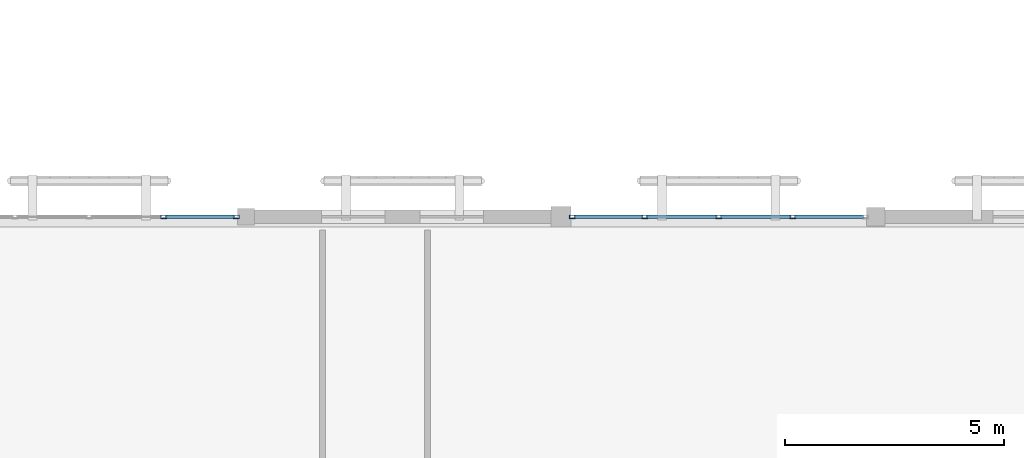
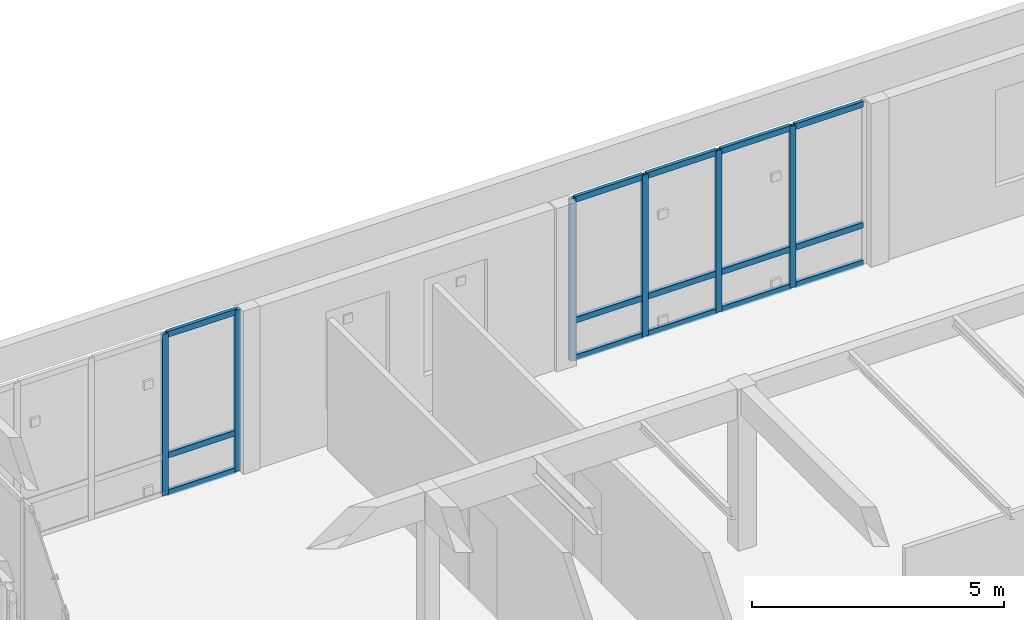
# One storey, part 156 of 217: 21 members, 2 elements without a shape of their own.
"""IFC4 building model written with IfcOpenShell, lengths in metres."""

from ifc_helpers import new_model, si_unit, direction, frame, origin, origin_2d, place, context, subcontext, project, spatial, hollow_rectangle, extrude, material, layer, layer_set, material_profile, profile_set, type_object, element, aggregate, save


model = new_model("IFC4")

# Units and contexts
model_context = context("Model", 3, precision=1e-05, world=origin(), true_north=direction((0.0, 1.0)))
body_context = subcontext(model_context, "Body", "Model", "MODEL_VIEW")
ifc_project = project(units=[si_unit("LENGTHUNIT", "METRE"), si_unit("AREAUNIT", "SQUARE_METRE"), si_unit("VOLUMEUNIT", "CUBIC_METRE"), si_unit("PLANEANGLEUNIT", "RADIAN"), si_unit("MASSUNIT", "GRAM", prefix="KILO")], contexts=[model_context])

# Site, building, storey
site_placement = place(None, origin())
site = spatial("IfcSite", under=ifc_project, at=site_placement, CompositionType="ELEMENT")
building_placement = place(site_placement, origin())
building = spatial("IfcBuilding", under=site, at=building_placement, Name="Mazaris Harbour Polytechnic", CompositionType="ELEMENT")
storey_placement = place(building_placement, frame((0.0, 0.0, 9.60009765625)))
storey = spatial("IfcBuildingStorey", under=building, at=storey_placement, Name="L02", CompositionType="ELEMENT", Elevation=9.60009765625)

# Curtain wall, members
ifc_material_1 = material(Name="Anodised Bronze Aluminium and Low-E Glass", Category="aluminium")
ifc_layer = layer(ifc_material_1, 0.169921875, Name="Anodised Bronze Aluminium and Low-E Glass")
ifc_layer_set = layer_set([ifc_layer], Name="Anodised Bronze Aluminium and Low-E Glass")
curtain_wall_type = type_object("IfcCurtainWallType", Name="Studio North-Light Curtain Wall", PredefinedType="NOTDEFINED", material=ifc_layer_set)
curtain_wall_1_placement = place(storey_placement, origin())
curtain_wall_1 = element("IfcCurtainWall", 1, at=curtain_wall_1_placement, inside=storey, type_object=curtain_wall_type, Name="V5 L02 Curtain Wall 227", PredefinedType="NOTDEFINED")
ifc_material_2 = material(Name="Anodised Bronze Steel S355", Category="steel")
ifc_material_profile_1 = material_profile(ifc_material_2, hollow_rectangle(XDim=0.080078125, YDim=0.139892578125, WallThickness=0.00634765625, at=origin_2d()), Name="RHS 80x140x6.3")
ifc_profile_set_1 = profile_set([ifc_material_profile_1], Name="Anodised Bronze Steel S355")
member_type_1 = type_object("IfcMemberType", Name="Curtain Mullion RHS80x140", PredefinedType="MULLION", material=ifc_profile_set_1)
member_1_placement = place(storey_placement, frame((127.716552734375, 108.0, 0.0), z_axis=(0.0, 0.0, 1.0), x_axis=(0.0, 1.0, 0.0)))
member_1 = element("IfcMember", 2, at=member_1_placement, type_object=member_type_1, Name="CW-03 mullion 4", PredefinedType="MULLION", context=body_context, shape_type="SweptSolid", body=[
    extrude(hollow_rectangle(XDim=0.080078125, YDim=0.139892578125, WallThickness=0.00634765625, at=origin_2d()), origin(), (0.0, 0.0, 1.0), 3.919921875),
])
member_2_placement = place(storey_placement, frame((129.3779296875, 108.0, 0.0), z_axis=(0.0, 0.0, 1.0), x_axis=(0.0, 1.0, 0.0)))
member_2 = element("IfcMember", 3, at=member_2_placement, type_object=member_type_1, Name="CW-03 mullion 5", PredefinedType="MULLION", context=body_context, shape_type="SweptSolid", body=[
    extrude(hollow_rectangle(XDim=0.080078125, YDim=0.139892578125, WallThickness=0.00634765625, at=origin_2d()), origin(), (0.0, 0.0, 1.0), 3.919921875),
])

curtain_wall_2_placement = place(storey_placement, origin())
curtain_wall_2 = element("IfcCurtainWall", 4, at=curtain_wall_2_placement, inside=storey, type_object=curtain_wall_type, Name="V5 L02 Curtain Wall 228", PredefinedType="NOTDEFINED")
member_3_placement = place(storey_placement, frame((137.06201171875, 108.0, 0.0), z_axis=(0.0, 0.0, 1.0), x_axis=(0.0, 1.0, 0.0)))
member_3 = element("IfcMember", 5, at=member_3_placement, type_object=member_type_1, Name="CW-03 mullion 1", PredefinedType="MULLION", context=body_context, shape_type="SweptSolid", body=[
    extrude(hollow_rectangle(XDim=0.080078125, YDim=0.139892578125, WallThickness=0.00634765625, at=origin_2d()), origin(), (0.0, 0.0, 1.0), 3.919921875),
])
member_4_placement = place(storey_placement, frame((138.716064453125, 108.0, 0.0), z_axis=(0.0, 0.0, 1.0), x_axis=(0.0, 1.0, 0.0)))
member_4 = element("IfcMember", 6, at=member_4_placement, type_object=member_type_1, Name="CW-03 mullion 2", PredefinedType="MULLION", context=body_context, shape_type="SweptSolid", body=[
    extrude(hollow_rectangle(XDim=0.080078125, YDim=0.139892578125, WallThickness=0.00634765625, at=origin_2d()), origin(), (0.0, 0.0, 1.0), 3.919921875),
])
member_5_placement = place(storey_placement, frame((140.409912109375, 108.0, 0.0), z_axis=(0.0, 0.0, 1.0), x_axis=(0.0, 1.0, 0.0)))
member_5 = element("IfcMember", 7, at=member_5_placement, type_object=member_type_1, Name="CW-03 mullion 3", PredefinedType="MULLION", context=body_context, shape_type="SweptSolid", body=[
    extrude(hollow_rectangle(XDim=0.080078125, YDim=0.139892578125, WallThickness=0.00634765625, at=origin_2d()), origin(), (0.0, 0.0, 1.0), 3.919921875),
])
member_6_placement = place(storey_placement, frame((142.10400390625, 108.0, 0.0), z_axis=(0.0, 0.0, 1.0), x_axis=(0.0, 1.0, 0.0)))
member_6 = element("IfcMember", 8, at=member_6_placement, type_object=member_type_1, Name="CW-03 mullion 4", PredefinedType="MULLION", context=body_context, shape_type="SweptSolid", body=[
    extrude(hollow_rectangle(XDim=0.080078125, YDim=0.139892578125, WallThickness=0.00634765625, at=origin_2d()), origin(), (0.0, 0.0, 1.0), 3.919921875),
])

# Member
ifc_material_3 = material(Name="Anodised Bronze Steel S355", Category="steel")
ifc_material_profile_2 = material_profile(ifc_material_3, hollow_rectangle(XDim=0.080078125, YDim=0.139892578125, WallThickness=0.00634765625, at=origin_2d()), Name="RHS 80x140x6.3")
ifc_profile_set_2 = profile_set([ifc_material_profile_2], Name="Anodised Bronze Steel S355")
member_type_2 = type_object("IfcMemberType", Name="Curtain Transom RHS80x140", PredefinedType="USERDEFINED", material=ifc_profile_set_2)
member_7_placement = place(storey_placement, frame((127.756591796875, 108.0, 0.039794921875), z_axis=(1.0, 0.0, 0.0), x_axis=(0.0, 1.0, 0.0)))
member_7 = element("IfcMember", 9, at=member_7_placement, type_object=member_type_2, Name="CW-03 transom 4.1", ObjectType="TRANSOM", PredefinedType="USERDEFINED", context=body_context, shape_type="SweptSolid", body=[
    extrude(hollow_rectangle(XDim=0.080078125, YDim=0.139892578125, WallThickness=0.00634765625, at=origin_2d()), origin(), (0.0, 0.0, 1.0), 1.581298828125),
])

member_8_placement = place(storey_placement, frame((127.756591796875, 108.0, 0.949951171875), z_axis=(1.0, 0.0, 0.0), x_axis=(0.0, 1.0, 0.0)))
member_8 = element("IfcMember", 10, at=member_8_placement, type_object=member_type_2, Name="CW-03 transom 4.2", ObjectType="TRANSOM", PredefinedType="USERDEFINED", context=body_context, shape_type="SweptSolid", body=[
    extrude(hollow_rectangle(XDim=0.080078125, YDim=0.139892578125, WallThickness=0.00634765625, at=origin_2d()), origin(), (0.0, 0.0, 1.0), 1.581298828125),
])

member_9_placement = place(storey_placement, frame((127.756591796875, 108.0, 3.8798828125), z_axis=(1.0, 0.0, 0.0), x_axis=(0.0, 1.0, 0.0)))
member_9 = element("IfcMember", 11, at=member_9_placement, type_object=member_type_2, Name="CW-03 transom 4.3", ObjectType="TRANSOM", PredefinedType="USERDEFINED", context=body_context, shape_type="SweptSolid", body=[
    extrude(hollow_rectangle(XDim=0.080078125, YDim=0.139892578125, WallThickness=0.00634765625, at=origin_2d()), origin(), (0.0, 0.0, 1.0), 1.581298828125),
])

aggregate(curtain_wall_1, [member_1, member_2, member_7, member_8, member_9])

member_10_placement = place(storey_placement, frame((137.10205078125, 108.0, 0.039794921875), z_axis=(1.0, 0.0, 0.0), x_axis=(0.0, 1.0, 0.0)))
member_10 = element("IfcMember", 12, at=member_10_placement, type_object=member_type_2, Name="CW-03 transom 1.1", ObjectType="TRANSOM", PredefinedType="USERDEFINED", context=body_context, shape_type="SweptSolid", body=[
    extrude(hollow_rectangle(XDim=0.080078125, YDim=0.139892578125, WallThickness=0.00634765625, at=origin_2d()), origin(), (0.0, 0.0, 1.0), 1.573974609375),
])

member_11_placement = place(storey_placement, frame((137.10205078125, 108.0, 0.949951171875), z_axis=(1.0, 0.0, 0.0), x_axis=(0.0, 1.0, 0.0)))
member_11 = element("IfcMember", 13, at=member_11_placement, type_object=member_type_2, Name="CW-03 transom 1.2", ObjectType="TRANSOM", PredefinedType="USERDEFINED", context=body_context, shape_type="SweptSolid", body=[
    extrude(hollow_rectangle(XDim=0.080078125, YDim=0.139892578125, WallThickness=0.00634765625, at=origin_2d()), origin(), (0.0, 0.0, 1.0), 1.573974609375),
])

member_12_placement = place(storey_placement, frame((137.10205078125, 108.0, 3.8798828125), z_axis=(1.0, 0.0, 0.0), x_axis=(0.0, 1.0, 0.0)))
member_12 = element("IfcMember", 14, at=member_12_placement, type_object=member_type_2, Name="CW-03 transom 1.3", ObjectType="TRANSOM", PredefinedType="USERDEFINED", context=body_context, shape_type="SweptSolid", body=[
    extrude(hollow_rectangle(XDim=0.080078125, YDim=0.139892578125, WallThickness=0.00634765625, at=origin_2d()), origin(), (0.0, 0.0, 1.0), 1.573974609375),
])

member_13_placement = place(storey_placement, frame((138.756103515625, 108.0, 0.039794921875), z_axis=(1.0, 0.0, 0.0), x_axis=(0.0, 1.0, 0.0)))
member_13 = element("IfcMember", 15, at=member_13_placement, type_object=member_type_2, Name="CW-03 transom 2.1", ObjectType="TRANSOM", PredefinedType="USERDEFINED", context=body_context, shape_type="SweptSolid", body=[
    extrude(hollow_rectangle(XDim=0.080078125, YDim=0.139892578125, WallThickness=0.00634765625, at=origin_2d()), origin(), (0.0, 0.0, 1.0), 1.614013671875),
])

member_14_placement = place(storey_placement, frame((138.756103515625, 108.0, 0.949951171875), z_axis=(1.0, 0.0, 0.0), x_axis=(0.0, 1.0, 0.0)))
member_14 = element("IfcMember", 16, at=member_14_placement, type_object=member_type_2, Name="CW-03 transom 2.2", ObjectType="TRANSOM", PredefinedType="USERDEFINED", context=body_context, shape_type="SweptSolid", body=[
    extrude(hollow_rectangle(XDim=0.080078125, YDim=0.139892578125, WallThickness=0.00634765625, at=origin_2d()), origin(), (0.0, 0.0, 1.0), 1.614013671875),
])

member_15_placement = place(storey_placement, frame((138.756103515625, 108.0, 3.8798828125), z_axis=(1.0, 0.0, 0.0), x_axis=(0.0, 1.0, 0.0)))
member_15 = element("IfcMember", 17, at=member_15_placement, type_object=member_type_2, Name="CW-03 transom 2.3", ObjectType="TRANSOM", PredefinedType="USERDEFINED", context=body_context, shape_type="SweptSolid", body=[
    extrude(hollow_rectangle(XDim=0.080078125, YDim=0.139892578125, WallThickness=0.00634765625, at=origin_2d()), origin(), (0.0, 0.0, 1.0), 1.614013671875),
])

member_16_placement = place(storey_placement, frame((140.449951171875, 108.0, 0.039794921875), z_axis=(1.0, 0.0, 0.0), x_axis=(0.0, 1.0, 0.0)))
member_16 = element("IfcMember", 18, at=member_16_placement, type_object=member_type_2, Name="CW-03 transom 3.1", ObjectType="TRANSOM", PredefinedType="USERDEFINED", context=body_context, shape_type="SweptSolid", body=[
    extrude(hollow_rectangle(XDim=0.080078125, YDim=0.139892578125, WallThickness=0.00634765625, at=origin_2d()), origin(), (0.0, 0.0, 1.0), 1.614013671875),
])

member_17_placement = place(storey_placement, frame((140.449951171875, 108.0, 0.949951171875), z_axis=(1.0, 0.0, 0.0), x_axis=(0.0, 1.0, 0.0)))
member_17 = element("IfcMember", 19, at=member_17_placement, type_object=member_type_2, Name="CW-03 transom 3.2", ObjectType="TRANSOM", PredefinedType="USERDEFINED", context=body_context, shape_type="SweptSolid", body=[
    extrude(hollow_rectangle(XDim=0.080078125, YDim=0.139892578125, WallThickness=0.00634765625, at=origin_2d()), origin(), (0.0, 0.0, 1.0), 1.614013671875),
])

member_18_placement = place(storey_placement, frame((140.449951171875, 108.0, 3.8798828125), z_axis=(1.0, 0.0, 0.0), x_axis=(0.0, 1.0, 0.0)))
member_18 = element("IfcMember", 20, at=member_18_placement, type_object=member_type_2, Name="CW-03 transom 3.3", ObjectType="TRANSOM", PredefinedType="USERDEFINED", context=body_context, shape_type="SweptSolid", body=[
    extrude(hollow_rectangle(XDim=0.080078125, YDim=0.139892578125, WallThickness=0.00634765625, at=origin_2d()), origin(), (0.0, 0.0, 1.0), 1.614013671875),
])

member_19_placement = place(storey_placement, frame((142.14404296875, 108.0, 0.039794921875), z_axis=(1.0, 0.0, 0.0), x_axis=(0.0, 1.0, 0.0)))
member_19 = element("IfcMember", 21, at=member_19_placement, type_object=member_type_2, Name="CW-03 transom 4.1", ObjectType="TRANSOM", PredefinedType="USERDEFINED", context=body_context, shape_type="SweptSolid", body=[
    extrude(hollow_rectangle(XDim=0.080078125, YDim=0.139892578125, WallThickness=0.00634765625, at=origin_2d()), origin(), (0.0, 0.0, 1.0), 1.573974609375),
])

member_20_placement = place(storey_placement, frame((142.14404296875, 108.0, 0.949951171875), z_axis=(1.0, 0.0, 0.0), x_axis=(0.0, 1.0, 0.0)))
member_20 = element("IfcMember", 22, at=member_20_placement, type_object=member_type_2, Name="CW-03 transom 4.2", ObjectType="TRANSOM", PredefinedType="USERDEFINED", context=body_context, shape_type="SweptSolid", body=[
    extrude(hollow_rectangle(XDim=0.080078125, YDim=0.139892578125, WallThickness=0.00634765625, at=origin_2d()), origin(), (0.0, 0.0, 1.0), 1.573974609375),
])

member_21_placement = place(storey_placement, frame((142.14404296875, 108.0, 3.8798828125), z_axis=(1.0, 0.0, 0.0), x_axis=(0.0, 1.0, 0.0)))
member_21 = element("IfcMember", 23, at=member_21_placement, type_object=member_type_2, Name="CW-03 transom 4.3", ObjectType="TRANSOM", PredefinedType="USERDEFINED", context=body_context, shape_type="SweptSolid", body=[
    extrude(hollow_rectangle(XDim=0.080078125, YDim=0.139892578125, WallThickness=0.00634765625, at=origin_2d()), origin(), (0.0, 0.0, 1.0), 1.573974609375),
])

aggregate(curtain_wall_2, [member_3, member_4, member_5, member_6, member_10, member_11, member_12, member_13, member_14, member_15, member_16, member_17, member_18, member_19, member_20, member_21])

save(model, "model.ifc")
